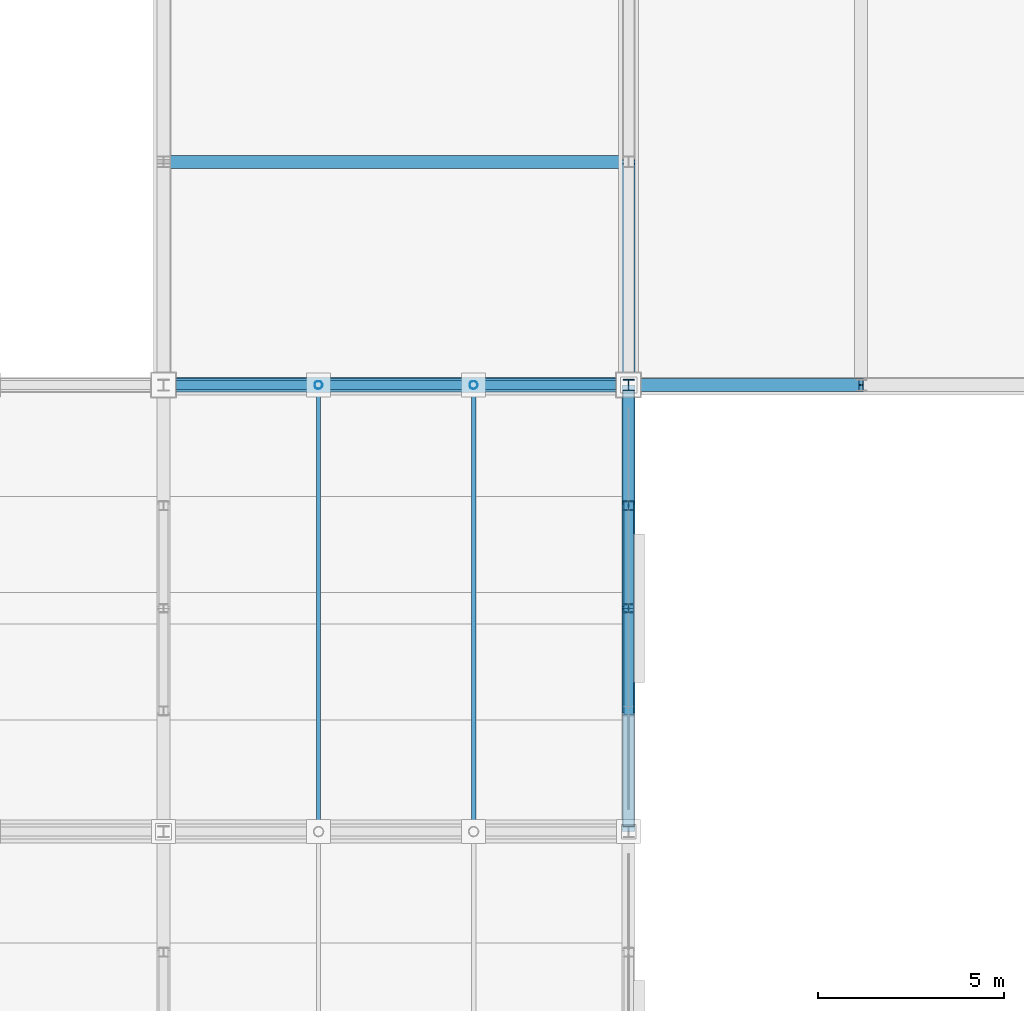
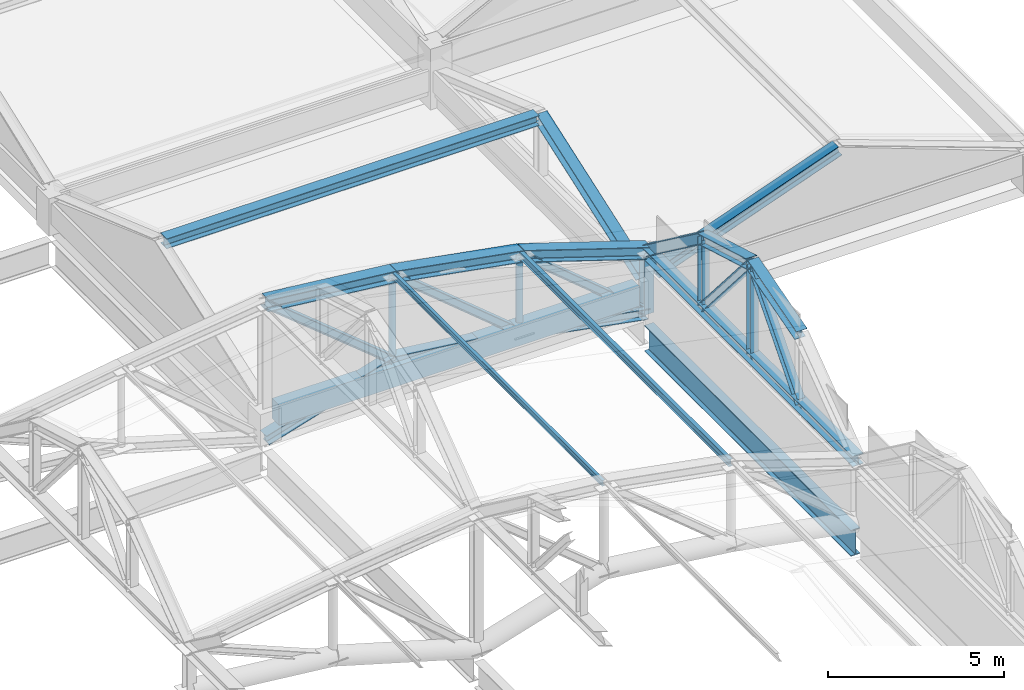
# One storey, part 75 of 117: 25 members, 2 beams.
"""IFC4 building model written with IfcOpenShell, lengths in metres."""

from ifc_helpers import new_model, si_unit, direction, frame, origin, origin_2d, place, context, subcontext, project, spatial, rectangle, hollow_circle, i_section, extrude, material, material_profile, profile_set, type_object, element, save


model = new_model("IFC4")

# Units and contexts
model_context = context("Model", 3, precision=1e-05, world=origin(), true_north=direction((0.0, 1.0)))
body_context = subcontext(model_context, "Body", "Model", "MODEL_VIEW")
ifc_project = project(units=[si_unit("LENGTHUNIT", "METRE"), si_unit("AREAUNIT", "SQUARE_METRE"), si_unit("VOLUMEUNIT", "CUBIC_METRE"), si_unit("PLANEANGLEUNIT", "RADIAN"), si_unit("MASSUNIT", "GRAM", prefix="KILO")], contexts=[model_context])

# Site, building, storey
site_placement = place(None, origin())
site = spatial("IfcSite", under=ifc_project, at=site_placement, CompositionType="ELEMENT")
building_placement = place(site_placement, origin())
building = spatial("IfcBuilding", under=site, at=building_placement, Name="Kazenohara Klinker Stadium", CompositionType="ELEMENT")
storey_placement = place(building_placement, frame((0.0, 0.0, 31.199951171875)))
storey = spatial("IfcBuildingStorey", under=building, at=storey_placement, Name="RF", CompositionType="ELEMENT", Elevation=31.199951171875)

# Beam
ifc_material_1 = material(Name="Concrete C40/50", Category="concrete")
ifc_material_profile_1 = material_profile(ifc_material_1, rectangle(XDim=0.39990234375, YDim=0.699951171875, at=origin_2d()), Name="RC-BM-400x700")
ifc_profile_set_1 = profile_set([ifc_material_profile_1], Name="Concrete C40/50")
beam_type_1 = type_object("IfcBeamType", Name="BM-RC04", PredefinedType="BEAM", material=ifc_profile_set_1)
beam_1_placement = place(storey_placement, frame((175.35009765625, 132.0, 0.75), z_axis=(1.0, 0.0, 0.0), x_axis=(0.0, 1.0, 0.0)))
element("IfcBeam", 1, at=beam_1_placement, inside=storey, type_object=beam_type_1, Name="Turret crown eave girder BG04 RF X14-11", PredefinedType="BEAM", context=body_context, shape_type="SweptSolid", body=[
    extrude(rectangle(XDim=0.39990234375, YDim=0.699951171875, at=origin_2d()), origin(), (0.0, 0.0, 1.0), 11.7998046875),
])

# Members
ifc_material_2 = material(Name="Steel S355", Category="steel")
ifc_material_profile_2 = material_profile(ifc_material_2, i_section(OverallWidth=0.25, OverallDepth=0.25, WebThickness=0.009033203125, FlangeThickness=0.013916015625, FilletRadius=0.012939453125, at=origin_2d()), Name="H-250x250x9x14")
ifc_profile_set_2 = profile_set([ifc_material_profile_2], Name="Steel S355")
member_type_1 = type_object("IfcMemberType", Name="MEM-BRC02", PredefinedType="BRACE", material=ifc_profile_set_2)
member_1_placement = place(storey_placement, frame((187.5, 132.0, -0.02001953125), z_axis=(-0.76843159807, 0.0, 0.639931933168), x_axis=(0.0, -1.0, 0.0)))
element("IfcMember", 2, at=member_1_placement, inside=storey, type_object=member_type_1, Name="ROOF TRUSS RT-E08 web diagonal 1", PredefinedType="BRACE", context=body_context, shape_type="SweptSolid", body=[
    extrude(i_section(OverallWidth=0.25, OverallDepth=0.25, WebThickness=0.009033203125, FlangeThickness=0.013916015625, FilletRadius=0.012939453125, at=origin_2d()), origin(), (0.0, 0.0, 1.0), 5.42236328125),
])
member_2_placement = place(storey_placement, frame((183.333251953125, 132.0, 0.75), z_axis=(-0.770229945983, 0.0, 0.637766281887), x_axis=(0.0, -1.0, 0.0)))
element("IfcMember", 3, at=member_2_placement, inside=storey, type_object=member_type_1, Name="ROOF TRUSS RT-E08 web diagonal 2", PredefinedType="BRACE", context=body_context, shape_type="SweptSolid", body=[
    extrude(i_section(OverallWidth=0.25, OverallDepth=0.25, WebThickness=0.009033203125, FlangeThickness=0.013916015625, FilletRadius=0.012939453125, at=origin_2d()), origin(), (0.0, 0.0, 1.0), 5.409423828125),
])
member_3_placement = place(storey_placement, frame((179.166748046875, 132.0, 1.25), z_axis=(-0.774777826172, 0.0, 0.632233596127), x_axis=(0.0, -1.0, 0.0)))
element("IfcMember", 4, at=member_3_placement, inside=storey, type_object=member_type_1, Name="ROOF TRUSS RT-E08 web diagonal 3", PredefinedType="BRACE", context=body_context, shape_type="SweptSolid", body=[
    extrude(i_section(OverallWidth=0.25, OverallDepth=0.25, WebThickness=0.009033203125, FlangeThickness=0.013916015625, FilletRadius=0.012939453125, at=origin_2d()), origin(), (0.0, 0.0, 1.0), 5.3779296875),
])
ifc_material_profile_3 = material_profile(ifc_material_2, i_section(OverallWidth=0.39990234375, OverallDepth=0.39990234375, WebThickness=0.012939453125, FlangeThickness=0.02099609375, FilletRadius=0.02197265625, at=origin_2d()), Name="H-400x400x13x21")
ifc_profile_set_3 = profile_set([ifc_material_profile_3], Name="Steel S355")
member_type_2 = type_object("IfcMemberType", Name="MEM-CHD01", PredefinedType="CHORD", material=ifc_profile_set_3)
member_4_placement = place(storey_placement, frame((187.5, 132.0, 2.10009765625), z_axis=(-0.951324890397, 0.0, 0.308189800141), x_axis=(0.0, -1.0, 0.0)))
element("IfcMember", 5, at=member_4_placement, inside=storey, type_object=member_type_2, Name="ROOF TRUSS RT-E08 top arched chord 1", PredefinedType="CHORD", context=body_context, shape_type="SweptSolid", body=[
    extrude(i_section(OverallWidth=0.39990234375, OverallDepth=0.39990234375, WebThickness=0.012939453125, FlangeThickness=0.02099609375, FilletRadius=0.02197265625, at=origin_2d()), origin(), (0.0, 0.0, 1.0), 4.3798828125),
])
member_5_placement = place(storey_placement, frame((183.333251953125, 132.0, 3.449951171875), z_axis=(-0.984182117389, 0.0, 0.177159701431), x_axis=(0.0, -1.0, 0.0)))
element("IfcMember", 6, at=member_5_placement, inside=storey, type_object=member_type_2, Name="ROOF TRUSS RT-E08 top arched chord 2", PredefinedType="CHORD", context=body_context, shape_type="SweptSolid", body=[
    extrude(i_section(OverallWidth=0.39990234375, OverallDepth=0.39990234375, WebThickness=0.012939453125, FlangeThickness=0.02099609375, FilletRadius=0.02197265625, at=origin_2d()), origin(), (0.0, 0.0, 1.0), 4.2333984375),
])
member_6_placement = place(storey_placement, frame((179.166748046875, 132.0, 4.199951171875), z_axis=(-0.994213775272, 0.0, 0.107419593461), x_axis=(0.0, -1.0, 0.0)))
element("IfcMember", 7, at=member_6_placement, inside=storey, type_object=member_type_2, Name="ROOF TRUSS RT-E08 top arched chord 3", PredefinedType="CHORD", context=body_context, shape_type="SweptSolid", body=[
    extrude(i_section(OverallWidth=0.39990234375, OverallDepth=0.39990234375, WebThickness=0.012939453125, FlangeThickness=0.02099609375, FilletRadius=0.02197265625, at=origin_2d()), origin(), (0.0, 0.0, 1.0), 4.19091796875),
])
ifc_material_profile_4 = material_profile(ifc_material_2, i_section(OverallWidth=0.35009765625, OverallDepth=0.35009765625, WebThickness=0.011962890625, FlangeThickness=0.01904296875, FilletRadius=0.012939453125, at=origin_2d()), Name="H-350x350x12x19")
ifc_profile_set_4 = profile_set([ifc_material_profile_4], Name="Steel S355")
member_type_3 = type_object("IfcMemberType", Name="MEM-CHD02", PredefinedType="CHORD", material=ifc_profile_set_4)
member_7_placement = place(storey_placement, frame((187.75, 132.0, 1.280029296875), z_axis=(0.940390807712, 0.0, 0.340095764117), x_axis=(0.0, 1.0, 0.0)))
element("IfcMember", 8, at=member_7_placement, inside=storey, type_object=member_type_3, Name="Crown gable rafter GT3-SE S West", PredefinedType="CHORD", context=body_context, shape_type="SweptSolid", body=[
    extrude(i_section(OverallWidth=0.35009765625, OverallDepth=0.35009765625, WebThickness=0.011962890625, FlangeThickness=0.01904296875, FilletRadius=0.012939453125, at=origin_2d()), origin(), (0.0, 0.0, 1.0), 6.38037109375),
])
member_8_placement = place(storey_placement, frame((187.5, 132.25, 1.080078125), z_axis=(0.0, 0.943473005792, 0.331449373723), x_axis=(-1.0, 0.0, 0.0)))
element("IfcMember", 9, at=member_8_placement, inside=storey, type_object=member_type_3, Name="Crown gable rafter GT3-SW E South", PredefinedType="CHORD", context=body_context, shape_type="SweptSolid", body=[
    extrude(i_section(OverallWidth=0.35009765625, OverallDepth=0.35009765625, WebThickness=0.011962890625, FlangeThickness=0.01904296875, FilletRadius=0.012939453125, at=origin_2d()), origin(), (0.0, 0.0, 1.0), 6.094482421875),
])
member_9_placement = place(storey_placement, frame((175.14990234375, 138.0, 3.10009765625), z_axis=(1.0, 0.0, 0.0), x_axis=(0.0, 1.0, 0.0)))
element("IfcMember", 10, at=member_9_placement, inside=storey, type_object=member_type_3, Name="Crown ridge beam GT3-SW", PredefinedType="CHORD", context=body_context, shape_type="SweptSolid", body=[
    extrude(i_section(OverallWidth=0.35009765625, OverallDepth=0.35009765625, WebThickness=0.011962890625, FlangeThickness=0.01904296875, FilletRadius=0.012939453125, at=origin_2d()), origin(), (0.0, 0.0, 1.0), 12.2001953125),
])
member_10_placement = place(storey_placement, frame((187.5, 132.0, -0.02001953125), z_axis=(-0.983349564566, 0.0, 0.181724059685), x_axis=(0.0, -1.0, 0.0)))
element("IfcMember", 11, at=member_10_placement, inside=storey, type_object=member_type_3, Name="ROOF TRUSS RT-E08 bottom arched chord 1", PredefinedType="CHORD", context=body_context, shape_type="SweptSolid", body=[
    extrude(i_section(OverallWidth=0.35009765625, OverallDepth=0.35009765625, WebThickness=0.011962890625, FlangeThickness=0.01904296875, FilletRadius=0.012939453125, at=origin_2d()), origin(), (0.0, 0.0, 1.0), 4.2373046875),
])
member_11_placement = place(storey_placement, frame((183.333251953125, 132.0, 0.75), z_axis=(-0.99287628789, 0.0, 0.119149808836), x_axis=(0.0, -1.0, 0.0)))
element("IfcMember", 12, at=member_11_placement, inside=storey, type_object=member_type_3, Name="ROOF TRUSS RT-E08 bottom arched chord 2", PredefinedType="CHORD", context=body_context, shape_type="SweptSolid", body=[
    extrude(i_section(OverallWidth=0.35009765625, OverallDepth=0.35009765625, WebThickness=0.011962890625, FlangeThickness=0.01904296875, FilletRadius=0.012939453125, at=origin_2d()), origin(), (0.0, 0.0, 1.0), 4.1962890625),
])
member_12_placement = place(storey_placement, frame((179.166748046875, 132.0, 1.25), z_axis=(-0.956553656775, 0.0, -0.291556343971), x_axis=(0.0, -1.0, 0.0)))
element("IfcMember", 13, at=member_12_placement, inside=storey, type_object=member_type_3, Name="ROOF TRUSS RT-E08 bottom arched chord 3", PredefinedType="CHORD", context=body_context, shape_type="SweptSolid", body=[
    extrude(i_section(OverallWidth=0.35009765625, OverallDepth=0.35009765625, WebThickness=0.011962890625, FlangeThickness=0.01904296875, FilletRadius=0.012939453125, at=origin_2d()), origin(), (0.0, 0.0, 1.0), 4.35595703125),
])
member_13_placement = place(storey_placement, frame((187.5, 120.0, 2.10009765625), z_axis=(0.0, 1.0, 0.0), x_axis=(-1.0, 0.0, 0.0)))
element("IfcMember", 14, at=member_13_placement, inside=storey, type_object=member_type_3, Name="Barrel arch tie chord TC02 E-07-N0", PredefinedType="CHORD", context=body_context, shape_type="SweptSolid", body=[
    extrude(i_section(OverallWidth=0.35009765625, OverallDepth=0.35009765625, WebThickness=0.011962890625, FlangeThickness=0.01904296875, FilletRadius=0.012939453125, at=origin_2d()), origin(), (0.0, 0.0, 1.0), 12.0),
])
for number, where, z_axis, x_axis, name in (
    (15, (187.5, 123.239990234375, 4.5), (0.0, 0.960462085918, 0.27841081429), (-1.0, 0.0, 0.0), "Barrel arch top rib TC02 E-07-N0-S2"),
    (16, (187.5, 126.0, 5.300048828125), (0.0, 0.960462085918, -0.27841081429), (-1.0, 0.0, 0.0), "Barrel arch top rib TC02 E-07-N0-S3"),
):
    element("IfcMember", number, at=place(storey_placement, frame(where, z_axis=z_axis, x_axis=x_axis)), inside=storey, type_object=member_type_3, Name=name, PredefinedType="CHORD", context=body_context, shape_type="SweptSolid", body=[
        extrude(i_section(OverallWidth=0.35009765625, OverallDepth=0.35009765625, WebThickness=0.011962890625, FlangeThickness=0.01904296875, FilletRadius=0.012939453125, at=origin_2d()), origin(), (0.0, 0.0, 1.0), 2.87353515625),
    ])
member_14_placement = place(storey_placement, frame((187.5, 128.760009765625, 4.5), z_axis=(0.0, 0.803567919639, -0.595213069856), x_axis=(-1.0, 0.0, 0.0)))
element("IfcMember", 17, at=member_14_placement, inside=storey, type_object=member_type_3, Name="Barrel arch top rib TC02 E-07-N0-S4", PredefinedType="CHORD", context=body_context, shape_type="SweptSolid", body=[
    extrude(i_section(OverallWidth=0.35009765625, OverallDepth=0.35009765625, WebThickness=0.011962890625, FlangeThickness=0.01904296875, FilletRadius=0.012939453125, at=origin_2d()), origin(), (0.0, 0.0, 1.0), 4.031982421875),
])
ifc_material_profile_5 = material_profile(ifc_material_2, i_section(OverallWidth=0.125, OverallDepth=0.25, WebThickness=0.006103515625, FlangeThickness=0.009033203125, FilletRadius=0.008056640625, at=origin_2d()), Name="H-250x125x6x9")
ifc_profile_set_5 = profile_set([ifc_material_profile_5], Name="Steel S355")
member_type_4 = type_object("IfcMemberType", Name="MEM-PUR01", PredefinedType="PURLIN", material=ifc_profile_set_5)
member_15_placement = place(storey_placement, frame((183.333251953125, 120.0, 3.469970703125), z_axis=(0.0, 1.0, 0.0), x_axis=(-1.0, 0.0, 0.0)))
element("IfcMember", 18, at=member_15_placement, inside=storey, type_object=member_type_4, Name="Canopy valley tie purlin PR01 E-07-N1", PredefinedType="PURLIN", context=body_context, shape_type="SweptSolid", body=[
    extrude(i_section(OverallWidth=0.125, OverallDepth=0.25, WebThickness=0.006103515625, FlangeThickness=0.009033203125, FilletRadius=0.008056640625, at=origin_2d()), origin(), (0.0, 0.0, 1.0), 12.0),
])
ifc_material_profile_6 = material_profile(ifc_material_2, i_section(OverallWidth=0.10009765625, OverallDepth=0.199951171875, WebThickness=0.005615234375, FlangeThickness=0.008056640625, FilletRadius=0.008056640625, at=origin_2d()), Name="H-200x100x5.5x8")
ifc_profile_set_6 = profile_set([ifc_material_profile_6], Name="Steel S355")
member_type_5 = type_object("IfcMemberType", Name="MEM-PUR02", PredefinedType="PURLIN", material=ifc_profile_set_6)
member_16_placement = place(storey_placement, frame((179.166748046875, 120.0, 4.219970703125), z_axis=(0.0, 1.0, 0.0), x_axis=(-1.0, 0.0, 0.0)))
element("IfcMember", 19, at=member_16_placement, inside=storey, type_object=member_type_5, Name="Canopy valley tie purlin PR02 E-07-N2", PredefinedType="PURLIN", context=body_context, shape_type="SweptSolid", body=[
    extrude(i_section(OverallWidth=0.10009765625, OverallDepth=0.199951171875, WebThickness=0.005615234375, FlangeThickness=0.008056640625, FilletRadius=0.008056640625, at=origin_2d()), origin(), (0.0, 0.0, 1.0), 12.0),
])
ifc_material_profile_7 = material_profile(ifc_material_2, i_section(OverallWidth=0.300048828125, OverallDepth=0.300048828125, WebThickness=0.010009765625, FlangeThickness=0.014892578125, FilletRadius=0.012939453125, at=origin_2d()), Name="H-300x300x10x15")
ifc_profile_set_7 = profile_set([ifc_material_profile_7], Name="Steel S355")
member_type_6 = type_object("IfcMemberType", Name="MEM-STR01", PredefinedType="STRUT", material=ifc_profile_set_7)
member_17_placement = place(storey_placement, frame((187.5, 132.0, -0.02001953125), z_axis=(0.0, 0.0, 1.0), x_axis=(1.0, 0.0, 0.0)))
element("IfcMember", 20, at=member_17_placement, inside=storey, type_object=member_type_6, Name="ROOF TRUSS RT-E08 web post 1", PredefinedType="STRUT", context=body_context, shape_type="SweptSolid", body=[
    extrude(i_section(OverallWidth=0.300048828125, OverallDepth=0.300048828125, WebThickness=0.010009765625, FlangeThickness=0.014892578125, FilletRadius=0.012939453125, at=origin_2d()), origin(), (0.0, 0.0, 1.0), 2.1201171875),
])
ifc_material_profile_8 = material_profile(ifc_material_2, i_section(OverallWidth=0.25, OverallDepth=0.25, WebThickness=0.009033203125, FlangeThickness=0.013916015625, FilletRadius=0.012939453125, at=origin_2d()), Name="H-250x250x9x14")
ifc_profile_set_8 = profile_set([ifc_material_profile_8], Name="Steel S355")
member_type_7 = type_object("IfcMemberType", Name="MEM-STR02", PredefinedType="STRUT", material=ifc_profile_set_8)
member_18_placement = place(storey_placement, frame((187.5, 126.0, 2.10009765625), z_axis=(0.0, 0.0, 1.0), x_axis=(1.0, 0.0, 0.0)))
element("IfcMember", 21, at=member_18_placement, inside=storey, type_object=member_type_7, Name="Barrel arch web post TS02 E-07-N0-P2", PredefinedType="STRUT", context=body_context, shape_type="SweptSolid", body=[
    extrude(i_section(OverallWidth=0.25, OverallDepth=0.25, WebThickness=0.009033203125, FlangeThickness=0.013916015625, FilletRadius=0.012939453125, at=origin_2d()), origin(), (0.0, 0.0, 1.0), 3.199951171875),
])
member_19_placement = place(storey_placement, frame((187.5, 128.760009765625, 2.10009765625), z_axis=(0.0, 0.0, 1.0), x_axis=(1.0, 0.0, 0.0)))
element("IfcMember", 22, at=member_19_placement, inside=storey, type_object=member_type_7, Name="Barrel arch web post TS02 E-07-N0-P3", PredefinedType="STRUT", context=body_context, shape_type="SweptSolid", body=[
    extrude(i_section(OverallWidth=0.25, OverallDepth=0.25, WebThickness=0.009033203125, FlangeThickness=0.013916015625, FilletRadius=0.012939453125, at=origin_2d()), origin(), (0.0, 0.0, 1.0), 2.39990234375),
])
for number, where, z_axis, x_axis, name in (
    (23, (187.5, 123.239990234375, 2.10009765625), (0.0, 0.653133887971, 0.757242447558), (-1.0, 0.0, 0.0), "Barrel arch web diagonal TS02 E-07-N0-D1"),
    (24, (187.5, 128.760009765625, 2.10009765625), (0.0, -0.653133887971, 0.757242447558), (1.0, 0.0, 0.0), "Barrel arch web diagonal TS02 E-07-N0-D2"),
):
    element("IfcMember", number, at=place(storey_placement, frame(where, z_axis=z_axis, x_axis=x_axis)), inside=storey, type_object=member_type_7, Name=name, PredefinedType="STRUT", context=body_context, shape_type="SweptSolid", body=[
        extrude(i_section(OverallWidth=0.25, OverallDepth=0.25, WebThickness=0.009033203125, FlangeThickness=0.013916015625, FilletRadius=0.012939453125, at=origin_2d()), origin(), (0.0, 0.0, 1.0), 4.225830078125),
    ])
ifc_material_profile_9 = material_profile(ifc_material_2, hollow_circle(Radius=0.108154296875, WallThickness=0.008056640625, at=origin_2d()), Name="CHS-216.3x8")
ifc_profile_set_9 = profile_set([ifc_material_profile_9], Name="Steel S355")
member_type_8 = type_object("IfcMemberType", Name="MEM-STR04", PredefinedType="STRUT", material=ifc_profile_set_9)
member_20_placement = place(storey_placement, frame((183.333251953125, 132.0, 0.75), z_axis=(0.0, 0.0, 1.0), x_axis=(1.0, 0.0, 0.0)))
element("IfcMember", 25, at=member_20_placement, inside=storey, type_object=member_type_8, Name="ROOF TRUSS RT-E08 web post 2", PredefinedType="STRUT", context=body_context, shape_type="SweptSolid", body=[
    extrude(hollow_circle(Radius=0.108154296875, WallThickness=0.008056640625, at=origin_2d()), origin(), (0.0, 0.0, 1.0), 2.699951171875),
])
member_21_placement = place(storey_placement, frame((179.166748046875, 132.0, 1.25), z_axis=(0.0, 0.0, 1.0), x_axis=(1.0, 0.0, 0.0)))
element("IfcMember", 26, at=member_21_placement, inside=storey, type_object=member_type_8, Name="ROOF TRUSS RT-E08 web post 3", PredefinedType="STRUT", context=body_context, shape_type="SweptSolid", body=[
    extrude(hollow_circle(Radius=0.108154296875, WallThickness=0.008056640625, at=origin_2d()), origin(), (0.0, 0.0, 1.0), 2.949951171875),
])

# Beam
ifc_material_profile_10 = material_profile(ifc_material_2, i_section(OverallWidth=0.300048828125, OverallDepth=0.89990234375, WebThickness=0.01611328125, FlangeThickness=0.028076171875, FilletRadius=0.02197265625, at=origin_2d()), Name="H-900x300x16x28")
ifc_profile_set_10 = profile_set([ifc_material_profile_10], Name="Steel S355")
beam_type_2 = type_object("IfcBeamType", Name="RING-RB01", PredefinedType="USERDEFINED", material=ifc_profile_set_10)
beam_2_placement = place(storey_placement, frame((187.5, 120.139892578125, -0.820068359375), z_axis=(0.0, 1.0, 0.0), x_axis=(-1.0, 0.0, 0.0)))
element("IfcBeam", 27, at=beam_2_placement, inside=storey, type_object=beam_type_2, Name="Roof ring beam RB01 E-OUT L-M", ObjectType="RING BEAM", PredefinedType="USERDEFINED", context=body_context, shape_type="SweptSolid", body=[
    extrude(i_section(OverallWidth=0.300048828125, OverallDepth=0.89990234375, WebThickness=0.01611328125, FlangeThickness=0.028076171875, FilletRadius=0.02197265625, at=origin_2d()), origin(), (0.0, 0.0, 1.0), 11.72021484375),
])

save(model, "model.ifc")
